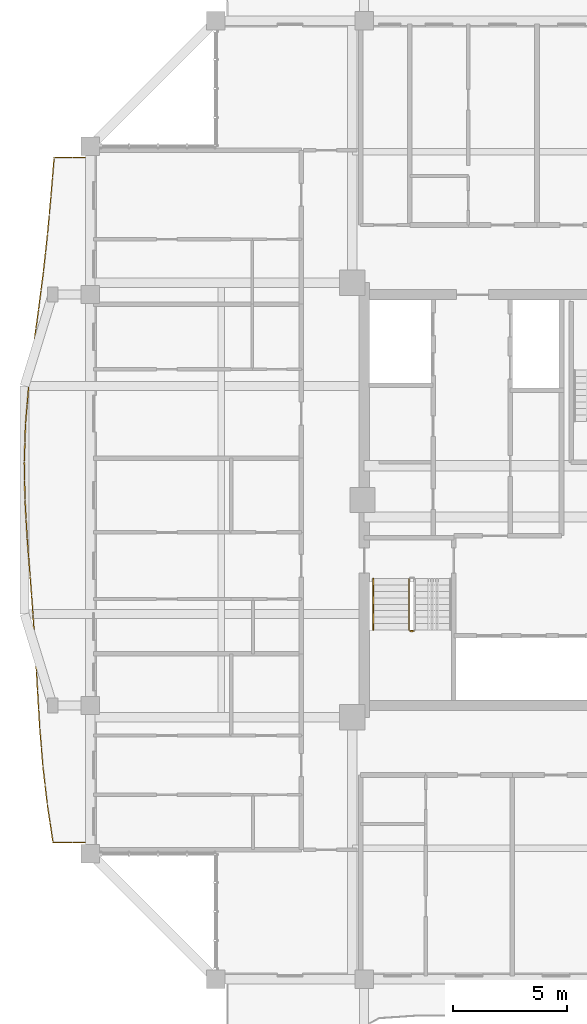
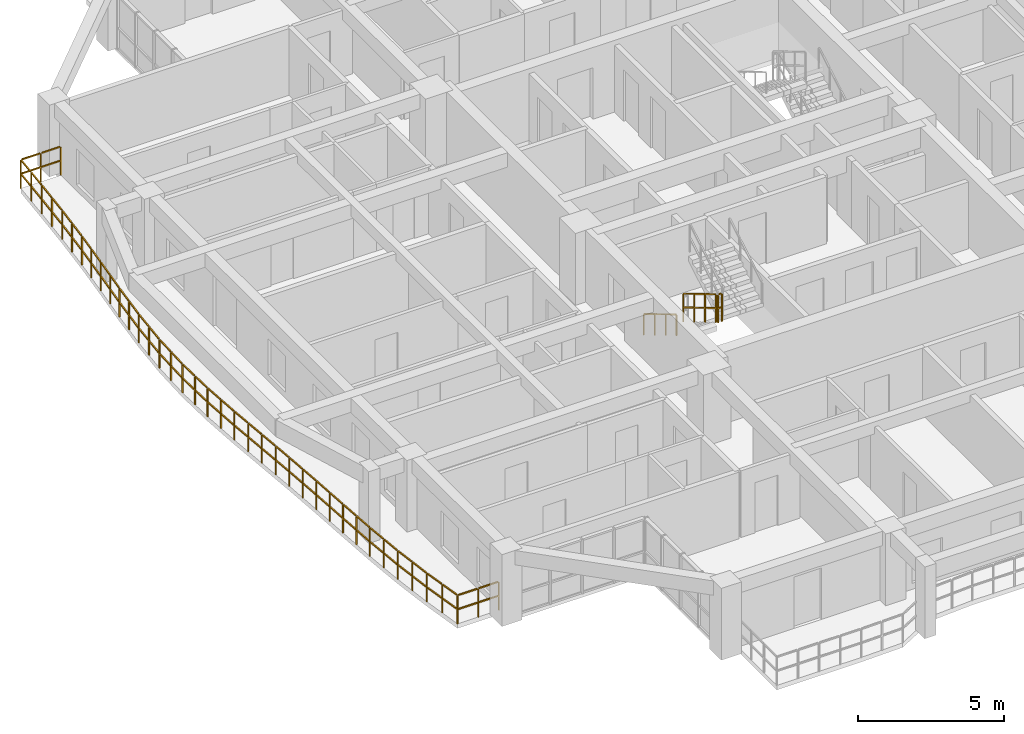
# One storey, part 19 of 22: 4 railings.
"""IFC4 building model written with IfcOpenShell, lengths in metres."""

from ifc_helpers import new_model, si_unit, direction, frame, origin, origin_2d, place, context, subcontext, project, spatial, rectangle, extrude, material, type_object, element, save


model = new_model("IFC4")

# Units and contexts
model_context = context("Model", 3, precision=1e-05, world=origin(), true_north=direction((0.0, 1.0)))
body_context = subcontext(model_context, "Body", "Model", "MODEL_VIEW")
ifc_project = project(units=[si_unit("LENGTHUNIT", "METRE"), si_unit("AREAUNIT", "SQUARE_METRE"), si_unit("VOLUMEUNIT", "CUBIC_METRE"), si_unit("PLANEANGLEUNIT", "RADIAN"), si_unit("MASSUNIT", "GRAM", prefix="KILO")], contexts=[model_context])

# Site, building, storey
site_placement = place(None, origin())
site = spatial("IfcSite", under=ifc_project, at=site_placement, CompositionType="ELEMENT")
building_placement = place(site_placement, origin())
building = spatial("IfcBuilding", under=site, at=building_placement, Name="Saelheon Loggia Tower", CompositionType="ELEMENT")
storey_placement = place(building_placement, frame((0.0, 0.0, 196.60009765625)))
storey = spatial("IfcBuildingStorey", under=building, at=storey_placement, Name="L61", CompositionType="ELEMENT", Elevation=196.60009765625)

# Railings
ifc_material_1 = material(Name="Architectural Precast Concrete and Laminated Glass Guard", Category="concrete")
railing_type_1 = type_object("IfcRailingType", Name="Guard_Loggia_RL_LOG", PredefinedType="BALUSTRADE", material=ifc_material_1)
railing_1_placement = place(storey_placement, frame((19.5, 42.0, 0.0)))
element("IfcRailing", 1, at=railing_1_placement, inside=storey, type_object=railing_type_1, Name="L61 West Loggia Balustrade", PredefinedType="BALUSTRADE", context=body_context, shape_type="SweptSolid", body=[
    extrude(rectangle(XDim=0.048095703125, YDim=0.048095703125, at=origin_2d()), frame((-0.033203125, 0.0, 1.19580078125), z_axis=(-1.0, 0.0, 0.0), x_axis=(0.0, -1.0, 0.0)), (0.0, 0.0, 1.0), 0.726318359375),
    extrude(rectangle(XDim=0.048095703125, YDim=0.048095703125, at=origin_2d()), frame((-0.033203125, 0.0, 0.60986328125), z_axis=(-1.0, 0.0, 0.0), x_axis=(0.0, -1.0, 0.0)), (0.0, 0.0, 1.0), 0.726318359375),
    extrude(rectangle(XDim=0.048095703125, YDim=0.048095703125, at=origin_2d()), frame((-0.826171875, 0.0, 1.19580078125), z_axis=(-1.0, 0.0, 0.0), x_axis=(0.0, -1.0, 0.0)), (0.0, 0.0, 1.0), 0.726318359375),
    extrude(rectangle(XDim=0.048095703125, YDim=0.048095703125, at=origin_2d()), frame((-0.826171875, 0.0, 0.60986328125), z_axis=(-1.0, 0.0, 0.0), x_axis=(0.0, -1.0, 0.0)), (0.0, 0.0, 1.0), 0.726318359375),
    extrude(rectangle(XDim=0.048095703125, YDim=0.048095703125, at=origin_2d()), frame((-1.58837890625, -0.033203125, 1.19580078125), z_axis=(-0.082622644176, -0.996580904227, 0.0), x_axis=(0.996580904227, -0.082622644176, 0.0)), (0.0, 0.0, 1.0), 0.769775390625),
    extrude(rectangle(XDim=0.048095703125, YDim=0.048095703125, at=origin_2d()), frame((-1.58837890625, -0.033203125, 0.60986328125), z_axis=(-0.082622644176, -0.996580904227, 0.0), x_axis=(0.996580904227, -0.082622644176, 0.0)), (0.0, 0.0, 1.0), 0.769775390625),
    extrude(rectangle(XDim=0.048095703125, YDim=0.048095703125, at=origin_2d()), frame((-1.657470703125, -0.866455078125, 1.19580078125), z_axis=(-0.082622644176, -0.996580904227, 0.0), x_axis=(0.996580904227, -0.082622644176, 0.0)), (0.0, 0.0, 1.0), 0.769775390625),
    extrude(rectangle(XDim=0.048095703125, YDim=0.048095703125, at=origin_2d()), frame((-1.657470703125, -0.866455078125, 0.60986328125), z_axis=(-0.082622644176, -0.996580904227, 0.0), x_axis=(0.996580904227, -0.082622644176, 0.0)), (0.0, 0.0, 1.0), 0.769775390625),
    extrude(rectangle(XDim=0.048095703125, YDim=0.048095703125, at=origin_2d()), frame((-1.726806640625, -1.699951171875, 1.19580078125), z_axis=(-0.089733224399, -0.995965836984, 0.0), x_axis=(0.995965836984, -0.089733224399, 0.0)), (0.0, 0.0, 1.0), 0.770263671875),
    extrude(rectangle(XDim=0.048095703125, YDim=0.048095703125, at=origin_2d()), frame((-1.726806640625, -1.699951171875, 0.60986328125), z_axis=(-0.089733224399, -0.995965836984, 0.0), x_axis=(0.995965836984, -0.089733224399, 0.0)), (0.0, 0.0, 1.0), 0.770263671875),
    extrude(rectangle(XDim=0.048095703125, YDim=0.048095703125, at=origin_2d()), frame((-1.802001953125, -2.533203125, 1.19580078125), z_axis=(-0.089733224399, -0.995965836984, 0.0), x_axis=(0.995965836984, -0.089733224399, 0.0)), (0.0, 0.0, 1.0), 0.770263671875),
    extrude(rectangle(XDim=0.048095703125, YDim=0.048095703125, at=origin_2d()), frame((-1.802001953125, -2.533203125, 0.60986328125), z_axis=(-0.089733224399, -0.995965836984, 0.0), x_axis=(0.995965836984, -0.089733224399, 0.0)), (0.0, 0.0, 1.0), 0.770263671875),
    extrude(rectangle(XDim=0.048095703125, YDim=0.048095703125, at=origin_2d()), frame((-1.877685546875, -3.3662109375, 1.19580078125), z_axis=(-0.108625418664, -0.9940827523, 0.0), x_axis=(0.9940827523, -0.108625418664, 0.0)), (0.0, 0.0, 1.0), 0.77197265625),
    extrude(rectangle(XDim=0.048095703125, YDim=0.048095703125, at=origin_2d()), frame((-1.877685546875, -3.3662109375, 0.60986328125), z_axis=(-0.108625418664, -0.9940827523, 0.0), x_axis=(0.9940827523, -0.108625418664, 0.0)), (0.0, 0.0, 1.0), 0.77197265625),
    extrude(rectangle(XDim=0.048095703125, YDim=0.048095703125, at=origin_2d()), frame((-1.96875, -4.19970703125, 1.19580078125), z_axis=(-0.108625418664, -0.9940827523, 0.0), x_axis=(0.9940827523, -0.108625418664, 0.0)), (0.0, 0.0, 1.0), 0.77197265625),
    extrude(rectangle(XDim=0.048095703125, YDim=0.048095703125, at=origin_2d()), frame((-1.96875, -4.19970703125, 0.60986328125), z_axis=(-0.108625418664, -0.9940827523, 0.0), x_axis=(0.9940827523, -0.108625418664, 0.0)), (0.0, 0.0, 1.0), 0.77197265625),
    extrude(rectangle(XDim=0.048095703125, YDim=0.048095703125, at=origin_2d()), frame((-2.060302734375, -5.032958984375, 1.19580078125), z_axis=(-0.127842269028, -0.991794512109, 0.0), x_axis=(0.991794512109, -0.127842269028, 0.0)), (0.0, 0.0, 1.0), 0.773681640625),
    extrude(rectangle(XDim=0.048095703125, YDim=0.048095703125, at=origin_2d()), frame((-2.060302734375, -5.032958984375, 0.60986328125), z_axis=(-0.127842269028, -0.991794512109, 0.0), x_axis=(0.991794512109, -0.127842269028, 0.0)), (0.0, 0.0, 1.0), 0.773681640625),
    extrude(rectangle(XDim=0.048095703125, YDim=0.048095703125, at=origin_2d()), frame((-2.167724609375, -5.866455078125, 1.19580078125), z_axis=(-0.127842269028, -0.991794512109, 0.0), x_axis=(0.991794512109, -0.127842269028, 0.0)), (0.0, 0.0, 1.0), 0.773681640625),
    extrude(rectangle(XDim=0.048095703125, YDim=0.048095703125, at=origin_2d()), frame((-2.167724609375, -5.866455078125, 0.60986328125), z_axis=(-0.127842269028, -0.991794512109, 0.0), x_axis=(0.991794512109, -0.127842269028, 0.0)), (0.0, 0.0, 1.0), 0.773681640625),
    extrude(rectangle(XDim=0.048095703125, YDim=0.048095703125, at=origin_2d()), frame((-2.275390625, -6.69970703125, 1.19580078125), z_axis=(-0.134426490543, -0.990923568516, 0.0), x_axis=(0.990923568516, -0.134426490543, 0.0)), (0.0, 0.0, 1.0), 0.7744140625),
    extrude(rectangle(XDim=0.048095703125, YDim=0.048095703125, at=origin_2d()), frame((-2.275390625, -6.69970703125, 0.60986328125), z_axis=(-0.134426490543, -0.990923568516, 0.0), x_axis=(0.990923568516, -0.134426490543, 0.0)), (0.0, 0.0, 1.0), 0.7744140625),
    extrude(rectangle(XDim=0.048095703125, YDim=0.048095703125, at=origin_2d()), frame((-2.388427734375, -7.532958984375, 1.19580078125), z_axis=(-0.134426490543, -0.990923568516, 0.0), x_axis=(0.990923568516, -0.134426490543, 0.0)), (0.0, 0.0, 1.0), 0.7744140625),
    extrude(rectangle(XDim=0.048095703125, YDim=0.048095703125, at=origin_2d()), frame((-2.388427734375, -7.532958984375, 0.60986328125), z_axis=(-0.134426490543, -0.990923568516, 0.0), x_axis=(0.990923568516, -0.134426490543, 0.0)), (0.0, 0.0, 1.0), 0.7744140625),
    extrude(rectangle(XDim=0.048095703125, YDim=0.048095703125, at=origin_2d()), frame((-2.5009765625, -8.3662109375, 1.19580078125), z_axis=(-0.120114226524, -0.992760078058, 0.0), x_axis=(0.992760078058, -0.120114226524, 0.0)), (0.0, 0.0, 1.0), 0.77294921875),
    extrude(rectangle(XDim=0.048095703125, YDim=0.048095703125, at=origin_2d()), frame((-2.5009765625, -8.3662109375, 0.60986328125), z_axis=(-0.120114226524, -0.992760078058, 0.0), x_axis=(0.992760078058, -0.120114226524, 0.0)), (0.0, 0.0, 1.0), 0.77294921875),
    extrude(rectangle(XDim=0.048095703125, YDim=0.048095703125, at=origin_2d()), frame((-2.601806640625, -9.19970703125, 1.19580078125), z_axis=(-0.120114226524, -0.992760078058, 0.0), x_axis=(0.992760078058, -0.120114226524, 0.0)), (0.0, 0.0, 1.0), 0.77294921875),
    extrude(rectangle(XDim=0.048095703125, YDim=0.048095703125, at=origin_2d()), frame((-2.601806640625, -9.19970703125, 0.60986328125), z_axis=(-0.120114226524, -0.992760078058, 0.0), x_axis=(0.992760078058, -0.120114226524, 0.0)), (0.0, 0.0, 1.0), 0.77294921875),
    extrude(rectangle(XDim=0.048095703125, YDim=0.048095703125, at=origin_2d()), frame((-2.701416015625, -10.033203125, 1.19580078125), z_axis=(-0.083637374408, -0.996496256692, 0.0), x_axis=(0.996496256692, -0.083637374408, 0.0)), (0.0, 0.0, 1.0), 0.769775390625),
    extrude(rectangle(XDim=0.048095703125, YDim=0.048095703125, at=origin_2d()), frame((-2.701416015625, -10.033203125, 0.60986328125), z_axis=(-0.083637374408, -0.996496256692, 0.0), x_axis=(0.996496256692, -0.083637374408, 0.0)), (0.0, 0.0, 1.0), 0.769775390625),
    extrude(rectangle(XDim=0.048095703125, YDim=0.048095703125, at=origin_2d()), frame((-2.771484375, -10.866455078125, 1.19580078125), z_axis=(-0.083637374408, -0.996496256692, 0.0), x_axis=(0.996496256692, -0.083637374408, 0.0)), (0.0, 0.0, 1.0), 0.769775390625),
    extrude(rectangle(XDim=0.048095703125, YDim=0.048095703125, at=origin_2d()), frame((-2.771484375, -10.866455078125, 0.60986328125), z_axis=(-0.083637374408, -0.996496256692, 0.0), x_axis=(0.996496256692, -0.083637374408, 0.0)), (0.0, 0.0, 1.0), 0.769775390625),
    extrude(rectangle(XDim=0.048095703125, YDim=0.048095703125, at=origin_2d()), frame((-2.839599609375, -11.699951171875, 1.19580078125), z_axis=(-0.032944311089, -0.999457188861, 0.0), x_axis=(0.999457188861, -0.032944311089, 0.0)), (0.0, 0.0, 1.0), 0.767333984375),
    extrude(rectangle(XDim=0.048095703125, YDim=0.048095703125, at=origin_2d()), frame((-2.839599609375, -11.699951171875, 0.60986328125), z_axis=(-0.032944311089, -0.999457188861, 0.0), x_axis=(0.999457188861, -0.032944311089, 0.0)), (0.0, 0.0, 1.0), 0.767333984375),
    extrude(rectangle(XDim=0.048095703125, YDim=0.048095703125, at=origin_2d()), frame((-2.8671875, -12.533203125, 1.19580078125), z_axis=(-0.032944311089, -0.999457188861, 0.0), x_axis=(0.999457188861, -0.032944311089, 0.0)), (0.0, 0.0, 1.0), 0.767333984375),
    extrude(rectangle(XDim=0.048095703125, YDim=0.048095703125, at=origin_2d()), frame((-2.8671875, -12.533203125, 0.60986328125), z_axis=(-0.032944311089, -0.999457188861, 0.0), x_axis=(0.999457188861, -0.032944311089, 0.0)), (0.0, 0.0, 1.0), 0.767333984375),
    extrude(rectangle(XDim=0.048095703125, YDim=0.048095703125, at=origin_2d()), frame((-2.892822265625, -13.366455078125, 1.19580078125), z_axis=(0.018892189386, -0.999821526664, 0.0), x_axis=(0.999821526664, 0.018892189386, 0.0)), (0.0, 0.0, 1.0), 0.76708984375),
    extrude(rectangle(XDim=0.048095703125, YDim=0.048095703125, at=origin_2d()), frame((-2.892822265625, -13.366455078125, 0.60986328125), z_axis=(0.018892189386, -0.999821526664, 0.0), x_axis=(0.999821526664, 0.018892189386, 0.0)), (0.0, 0.0, 1.0), 0.76708984375),
    extrude(rectangle(XDim=0.048095703125, YDim=0.048095703125, at=origin_2d()), frame((-2.877197265625, -14.199951171875, 1.19580078125), z_axis=(0.018892189386, -0.999821526664, 0.0), x_axis=(0.999821526664, 0.018892189386, 0.0)), (0.0, 0.0, 1.0), 0.76708984375),
    extrude(rectangle(XDim=0.048095703125, YDim=0.048095703125, at=origin_2d()), frame((-2.877197265625, -14.199951171875, 0.60986328125), z_axis=(0.018892189386, -0.999821526664, 0.0), x_axis=(0.999821526664, 0.018892189386, 0.0)), (0.0, 0.0, 1.0), 0.76708984375),
    extrude(rectangle(XDim=0.048095703125, YDim=0.048095703125, at=origin_2d()), frame((-2.860107421875, -15.033203125, 1.19580078125), z_axis=(0.057761901726, -0.998330387552, 0.0), x_axis=(0.998330387552, 0.057761901726, 0.0)), (0.0, 0.0, 1.0), 0.768310546875),
    extrude(rectangle(XDim=0.048095703125, YDim=0.048095703125, at=origin_2d()), frame((-2.860107421875, -15.033203125, 0.60986328125), z_axis=(0.057761901726, -0.998330387552, 0.0), x_axis=(0.998330387552, 0.057761901726, 0.0)), (0.0, 0.0, 1.0), 0.768310546875),
    extrude(rectangle(XDim=0.048095703125, YDim=0.048095703125, at=origin_2d()), frame((-2.81201171875, -15.866455078125, 1.19580078125), z_axis=(0.057761901726, -0.998330387552, 0.0), x_axis=(0.998330387552, 0.057761901726, 0.0)), (0.0, 0.0, 1.0), 0.768310546875),
    extrude(rectangle(XDim=0.048095703125, YDim=0.048095703125, at=origin_2d()), frame((-2.81201171875, -15.866455078125, 0.60986328125), z_axis=(0.057761901726, -0.998330387552, 0.0), x_axis=(0.998330387552, 0.057761901726, 0.0)), (0.0, 0.0, 1.0), 0.768310546875),
    extrude(rectangle(XDim=0.048095703125, YDim=0.048095703125, at=origin_2d()), frame((-2.76318359375, -16.699951171875, 1.19580078125), z_axis=(0.075959226601, -0.997110924569, 0.0), x_axis=(0.997110924569, 0.075959226601, 0.0)), (0.0, 0.0, 1.0), 0.769287109375),
    extrude(rectangle(XDim=0.048095703125, YDim=0.048095703125, at=origin_2d()), frame((-2.76318359375, -16.699951171875, 0.60986328125), z_axis=(0.075959226601, -0.997110924569, 0.0), x_axis=(0.997110924569, 0.075959226601, 0.0)), (0.0, 0.0, 1.0), 0.769287109375),
    extrude(rectangle(XDim=0.048095703125, YDim=0.048095703125, at=origin_2d()), frame((-2.69970703125, -17.533203125, 1.19580078125), z_axis=(0.075959226601, -0.997110924569, 0.0), x_axis=(0.997110924569, 0.075959226601, 0.0)), (0.0, 0.0, 1.0), 0.769287109375),
    extrude(rectangle(XDim=0.048095703125, YDim=0.048095703125, at=origin_2d()), frame((-2.69970703125, -17.533203125, 0.60986328125), z_axis=(0.075959226601, -0.997110924569, 0.0), x_axis=(0.997110924569, 0.075959226601, 0.0)), (0.0, 0.0, 1.0), 0.769287109375),
    extrude(rectangle(XDim=0.048095703125, YDim=0.048095703125, at=origin_2d()), frame((-2.63623046875, -18.366455078125, 1.19580078125), z_axis=(0.075076807606, -0.997177753943, 0.0), x_axis=(0.997177753943, 0.075076807606, 0.0)), (0.0, 0.0, 1.0), 0.769287109375),
    extrude(rectangle(XDim=0.048095703125, YDim=0.048095703125, at=origin_2d()), frame((-2.63623046875, -18.366455078125, 0.60986328125), z_axis=(0.075076807606, -0.997177753943, 0.0), x_axis=(0.997177753943, 0.075076807606, 0.0)), (0.0, 0.0, 1.0), 0.769287109375),
    extrude(rectangle(XDim=0.048095703125, YDim=0.048095703125, at=origin_2d()), frame((-2.573486328125, -19.19970703125, 1.19580078125), z_axis=(0.075076807606, -0.997177753943, 0.0), x_axis=(0.997177753943, 0.075076807606, 0.0)), (0.0, 0.0, 1.0), 0.769287109375),
    extrude(rectangle(XDim=0.048095703125, YDim=0.048095703125, at=origin_2d()), frame((-2.573486328125, -19.19970703125, 0.60986328125), z_axis=(0.075076807606, -0.997177753943, 0.0), x_axis=(0.997177753943, 0.075076807606, 0.0)), (0.0, 0.0, 1.0), 0.769287109375),
    extrude(rectangle(XDim=0.048095703125, YDim=0.048095703125, at=origin_2d()), frame((-2.510986328125, -20.033203125, 1.19580078125), z_axis=(0.063879811167, -0.997957599162, 0.0), x_axis=(0.997957599162, 0.063879811167, 0.0)), (0.0, 0.0, 1.0), 0.7685546875),
    extrude(rectangle(XDim=0.048095703125, YDim=0.048095703125, at=origin_2d()), frame((-2.510986328125, -20.033203125, 0.60986328125), z_axis=(0.063879811167, -0.997957599162, 0.0), x_axis=(0.997957599162, 0.063879811167, 0.0)), (0.0, 0.0, 1.0), 0.7685546875),
    extrude(rectangle(XDim=0.048095703125, YDim=0.048095703125, at=origin_2d()), frame((-2.457763671875, -20.866455078125, 1.19580078125), z_axis=(0.063879811167, -0.997957599162, 0.0), x_axis=(0.997957599162, 0.063879811167, 0.0)), (0.0, 0.0, 1.0), 0.7685546875),
    extrude(rectangle(XDim=0.048095703125, YDim=0.048095703125, at=origin_2d()), frame((-2.457763671875, -20.866455078125, 0.60986328125), z_axis=(0.063879811167, -0.997957599162, 0.0), x_axis=(0.997957599162, 0.063879811167, 0.0)), (0.0, 0.0, 1.0), 0.7685546875),
    extrude(rectangle(XDim=0.048095703125, YDim=0.048095703125, at=origin_2d()), frame((-2.40478515625, -21.699951171875, 1.19580078125), z_axis=(0.055000126962, -0.998486347445, 0.0), x_axis=(0.998486347445, 0.055000126962, 0.0)), (0.0, 0.0, 1.0), 0.76806640625),
    extrude(rectangle(XDim=0.048095703125, YDim=0.048095703125, at=origin_2d()), frame((-2.40478515625, -21.699951171875, 0.60986328125), z_axis=(0.055000126962, -0.998486347445, 0.0), x_axis=(0.998486347445, 0.055000126962, 0.0)), (0.0, 0.0, 1.0), 0.76806640625),
    extrude(rectangle(XDim=0.048095703125, YDim=0.048095703125, at=origin_2d()), frame((-2.35888671875, -22.533203125, 1.19580078125), z_axis=(0.055000126962, -0.998486347445, 0.0), x_axis=(0.998486347445, 0.055000126962, 0.0)), (0.0, 0.0, 1.0), 0.76806640625),
    extrude(rectangle(XDim=0.048095703125, YDim=0.048095703125, at=origin_2d()), frame((-2.35888671875, -22.533203125, 0.60986328125), z_axis=(0.055000126962, -0.998486347445, 0.0), x_axis=(0.998486347445, 0.055000126962, 0.0)), (0.0, 0.0, 1.0), 0.76806640625),
    extrude(rectangle(XDim=0.048095703125, YDim=0.048095703125, at=origin_2d()), frame((-2.312744140625, -23.366455078125, 1.19580078125), z_axis=(0.059510570368, -0.99822767544, 0.0), x_axis=(0.99822767544, 0.059510570368, 0.0)), (0.0, 0.0, 1.0), 0.768310546875),
    extrude(rectangle(XDim=0.048095703125, YDim=0.048095703125, at=origin_2d()), frame((-2.312744140625, -23.366455078125, 0.60986328125), z_axis=(0.059510570368, -0.99822767544, 0.0), x_axis=(0.99822767544, 0.059510570368, 0.0)), (0.0, 0.0, 1.0), 0.768310546875),
    extrude(rectangle(XDim=0.048095703125, YDim=0.048095703125, at=origin_2d()), frame((-2.262939453125, -24.19970703125, 1.19580078125), z_axis=(0.059510570368, -0.99822767544, 0.0), x_axis=(0.99822767544, 0.059510570368, 0.0)), (0.0, 0.0, 1.0), 0.768310546875),
    extrude(rectangle(XDim=0.048095703125, YDim=0.048095703125, at=origin_2d()), frame((-2.262939453125, -24.19970703125, 0.60986328125), z_axis=(0.059510570368, -0.99822767544, 0.0), x_axis=(0.99822767544, 0.059510570368, 0.0)), (0.0, 0.0, 1.0), 0.768310546875),
    extrude(rectangle(XDim=0.048095703125, YDim=0.048095703125, at=origin_2d()), frame((-2.212646484375, -25.033203125, 1.19580078125), z_axis=(0.081317613755, -0.996688238966, 0.0), x_axis=(0.996688238966, 0.081317613755, 0.0)), (0.0, 0.0, 1.0), 0.769775390625),
    extrude(rectangle(XDim=0.048095703125, YDim=0.048095703125, at=origin_2d()), frame((-2.212646484375, -25.033203125, 0.60986328125), z_axis=(0.081317613755, -0.996688238966, 0.0), x_axis=(0.996688238966, 0.081317613755, 0.0)), (0.0, 0.0, 1.0), 0.769775390625),
    extrude(rectangle(XDim=0.048095703125, YDim=0.048095703125, at=origin_2d()), frame((-2.14453125, -25.866455078125, 1.19580078125), z_axis=(0.081317613755, -0.996688238966, 0.0), x_axis=(0.996688238966, 0.081317613755, 0.0)), (0.0, 0.0, 1.0), 0.769775390625),
    extrude(rectangle(XDim=0.048095703125, YDim=0.048095703125, at=origin_2d()), frame((-2.14453125, -25.866455078125, 0.60986328125), z_axis=(0.081317613755, -0.996688238966, 0.0), x_axis=(0.996688238966, 0.081317613755, 0.0)), (0.0, 0.0, 1.0), 0.769775390625),
    extrude(rectangle(XDim=0.048095703125, YDim=0.048095703125, at=origin_2d()), frame((-2.075439453125, -26.69970703125, 1.19580078125), z_axis=(0.115110168559, -0.993352731458, 0.0), x_axis=(0.993352731458, 0.115110168559, 0.0)), (0.0, 0.0, 1.0), 0.7724609375),
    extrude(rectangle(XDim=0.048095703125, YDim=0.048095703125, at=origin_2d()), frame((-2.075439453125, -26.69970703125, 0.60986328125), z_axis=(0.115110168559, -0.993352731458, 0.0), x_axis=(0.993352731458, 0.115110168559, 0.0)), (0.0, 0.0, 1.0), 0.7724609375),
    extrude(rectangle(XDim=0.048095703125, YDim=0.048095703125, at=origin_2d()), frame((-1.97900390625, -27.532958984375, 1.19580078125), z_axis=(0.115110168559, -0.993352731458, 0.0), x_axis=(0.993352731458, 0.115110168559, 0.0)), (0.0, 0.0, 1.0), 0.7724609375),
    extrude(rectangle(XDim=0.048095703125, YDim=0.048095703125, at=origin_2d()), frame((-1.97900390625, -27.532958984375, 0.60986328125), z_axis=(0.115110168559, -0.993352731458, 0.0), x_axis=(0.993352731458, 0.115110168559, 0.0)), (0.0, 0.0, 1.0), 0.7724609375),
    extrude(rectangle(XDim=0.048095703125, YDim=0.048095703125, at=origin_2d()), frame((-1.88134765625, -28.3662109375, 1.19580078125), z_axis=(0.149041602908, -0.988830926196, 0.0), x_axis=(0.988830926196, 0.149041602908, 0.0)), (0.0, 0.0, 1.0), 0.7763671875),
    extrude(rectangle(XDim=0.048095703125, YDim=0.048095703125, at=origin_2d()), frame((-1.88134765625, -28.3662109375, 0.60986328125), z_axis=(0.149041602908, -0.988830926196, 0.0), x_axis=(0.988830926196, 0.149041602908, 0.0)), (0.0, 0.0, 1.0), 0.7763671875),
    extrude(rectangle(XDim=0.048095703125, YDim=0.048095703125, at=origin_2d()), frame((-1.755615234375, -29.199462890625, 1.19580078125), z_axis=(0.149041602908, -0.988830926196, 0.0), x_axis=(0.988830926196, 0.149041602908, 0.0)), (0.0, 0.0, 1.0), 0.7763671875),
    extrude(rectangle(XDim=0.048095703125, YDim=0.048095703125, at=origin_2d()), frame((-1.755615234375, -29.199462890625, 0.60986328125), z_axis=(0.149041602908, -0.988830926196, 0.0), x_axis=(0.988830926196, 0.149041602908, 0.0)), (0.0, 0.0, 1.0), 0.7763671875),
    extrude(rectangle(XDim=0.048095703125, YDim=0.048095703125, at=origin_2d()), frame((-1.601806640625, -30.0, 1.19580078125), z_axis=(1.0, 0.0, 0.0), x_axis=(0.0, 1.0, 0.0)), (0.0, 0.0, 1.0), 0.7509765625),
    extrude(rectangle(XDim=0.048095703125, YDim=0.048095703125, at=origin_2d()), frame((-1.601806640625, -30.0, 0.60986328125), z_axis=(1.0, 0.0, 0.0), x_axis=(0.0, 1.0, 0.0)), (0.0, 0.0, 1.0), 0.7509765625),
    extrude(rectangle(XDim=0.048095703125, YDim=0.048095703125, at=origin_2d()), frame((-0.7841796875, -30.0, 1.19580078125), z_axis=(1.0, 0.0, 0.0), x_axis=(0.0, 1.0, 0.0)), (0.0, 0.0, 1.0), 0.7509765625),
    extrude(rectangle(XDim=0.048095703125, YDim=0.048095703125, at=origin_2d()), frame((-0.7841796875, -30.0, 0.60986328125), z_axis=(1.0, 0.0, 0.0), x_axis=(0.0, 1.0, 0.0)), (0.0, 0.0, 1.0), 0.7509765625),
    extrude(rectangle(XDim=0.0419921875, YDim=0.0419921875, at=origin_2d()), origin(), (0.0, 0.0, 1.0), 1.16796875),
    extrude(rectangle(XDim=0.0419921875, YDim=0.0419921875, at=origin_2d()), frame((-0.79296875, 0.0, 0.0)), (0.0, 0.0, 1.0), 1.16796875),
    extrude(rectangle(XDim=0.0419921875, YDim=0.0419921875, at=origin_2d()), frame((-1.585693359375, 0.0, 0.0)), (0.0, 0.0, 1.0), 1.16796875),
    extrude(rectangle(XDim=0.0419921875, YDim=0.0419921875, at=origin_2d()), frame((-1.65478515625, -0.83349609375, 0.0)), (0.0, 0.0, 1.0), 1.16796875),
    extrude(rectangle(XDim=0.0419921875, YDim=0.0419921875, at=origin_2d()), frame((-1.723876953125, -1.666748046875, 0.0)), (0.0, 0.0, 1.0), 1.16796875),
    extrude(rectangle(XDim=0.0419921875, YDim=0.0419921875, at=origin_2d()), frame((-1.798828125, -2.5, 0.0)), (0.0, 0.0, 1.0), 1.16796875),
    extrude(rectangle(XDim=0.0419921875, YDim=0.0419921875, at=origin_2d()), frame((-1.8740234375, -3.333251953125, 0.0)), (0.0, 0.0, 1.0), 1.16796875),
    extrude(rectangle(XDim=0.0419921875, YDim=0.0419921875, at=origin_2d()), frame((-1.965087890625, -4.16650390625, 0.0)), (0.0, 0.0, 1.0), 1.16796875),
    extrude(rectangle(XDim=0.0419921875, YDim=0.0419921875, at=origin_2d()), frame((-2.05615234375, -5.0, 0.0)), (0.0, 0.0, 1.0), 1.16796875),
    extrude(rectangle(XDim=0.0419921875, YDim=0.0419921875, at=origin_2d()), frame((-2.16357421875, -5.83349609375, 0.0)), (0.0, 0.0, 1.0), 1.16796875),
    extrude(rectangle(XDim=0.0419921875, YDim=0.0419921875, at=origin_2d()), frame((-2.27099609375, -6.666748046875, 0.0)), (0.0, 0.0, 1.0), 1.16796875),
    extrude(rectangle(XDim=0.0419921875, YDim=0.0419921875, at=origin_2d()), frame((-2.384033203125, -7.5, 0.0)), (0.0, 0.0, 1.0), 1.16796875),
    extrude(rectangle(XDim=0.0419921875, YDim=0.0419921875, at=origin_2d()), frame((-2.4970703125, -8.333251953125, 0.0)), (0.0, 0.0, 1.0), 1.16796875),
    extrude(rectangle(XDim=0.0419921875, YDim=0.0419921875, at=origin_2d()), frame((-2.597900390625, -9.16650390625, 0.0)), (0.0, 0.0, 1.0), 1.16796875),
    extrude(rectangle(XDim=0.0419921875, YDim=0.0419921875, at=origin_2d()), frame((-2.69873046875, -10.0, 0.0)), (0.0, 0.0, 1.0), 1.16796875),
    extrude(rectangle(XDim=0.0419921875, YDim=0.0419921875, at=origin_2d()), frame((-2.7685546875, -10.83349609375, 0.0)), (0.0, 0.0, 1.0), 1.16796875),
    extrude(rectangle(XDim=0.0419921875, YDim=0.0419921875, at=origin_2d()), frame((-2.838623046875, -11.666748046875, 0.0)), (0.0, 0.0, 1.0), 1.16796875),
    extrude(rectangle(XDim=0.0419921875, YDim=0.0419921875, at=origin_2d()), frame((-2.8662109375, -12.5, 0.0)), (0.0, 0.0, 1.0), 1.16796875),
    extrude(rectangle(XDim=0.0419921875, YDim=0.0419921875, at=origin_2d()), frame((-2.8935546875, -13.333251953125, 0.0)), (0.0, 0.0, 1.0), 1.16796875),
    extrude(rectangle(XDim=0.0419921875, YDim=0.0419921875, at=origin_2d()), frame((-2.8779296875, -14.16650390625, 0.0)), (0.0, 0.0, 1.0), 1.16796875),
    extrude(rectangle(XDim=0.0419921875, YDim=0.0419921875, at=origin_2d()), frame((-2.862060546875, -15.0, 0.0)), (0.0, 0.0, 1.0), 1.16796875),
    extrude(rectangle(XDim=0.0419921875, YDim=0.0419921875, at=origin_2d()), frame((-2.81396484375, -15.83349609375, 0.0)), (0.0, 0.0, 1.0), 1.16796875),
    extrude(rectangle(XDim=0.0419921875, YDim=0.0419921875, at=origin_2d()), frame((-2.765625, -16.666748046875, 0.0)), (0.0, 0.0, 1.0), 1.16796875),
    extrude(rectangle(XDim=0.0419921875, YDim=0.0419921875, at=origin_2d()), frame((-2.7021484375, -17.5, 0.0)), (0.0, 0.0, 1.0), 1.16796875),
    extrude(rectangle(XDim=0.0419921875, YDim=0.0419921875, at=origin_2d()), frame((-2.638671875, -18.333251953125, 0.0)), (0.0, 0.0, 1.0), 1.16796875),
    extrude(rectangle(XDim=0.0419921875, YDim=0.0419921875, at=origin_2d()), frame((-2.575927734375, -19.16650390625, 0.0)), (0.0, 0.0, 1.0), 1.16796875),
    extrude(rectangle(XDim=0.0419921875, YDim=0.0419921875, at=origin_2d()), frame((-2.51318359375, -20.0, 0.0)), (0.0, 0.0, 1.0), 1.16796875),
    extrude(rectangle(XDim=0.0419921875, YDim=0.0419921875, at=origin_2d()), frame((-2.4599609375, -20.83349609375, 0.0)), (0.0, 0.0, 1.0), 1.16796875),
    extrude(rectangle(XDim=0.0419921875, YDim=0.0419921875, at=origin_2d()), frame((-2.406494140625, -21.666748046875, 0.0)), (0.0, 0.0, 1.0), 1.16796875),
    extrude(rectangle(XDim=0.0419921875, YDim=0.0419921875, at=origin_2d()), frame((-2.360595703125, -22.5, 0.0)), (0.0, 0.0, 1.0), 1.16796875),
    extrude(rectangle(XDim=0.0419921875, YDim=0.0419921875, at=origin_2d()), frame((-2.314697265625, -23.333251953125, 0.0)), (0.0, 0.0, 1.0), 1.16796875),
    extrude(rectangle(XDim=0.0419921875, YDim=0.0419921875, at=origin_2d()), frame((-2.26513671875, -24.16650390625, 0.0)), (0.0, 0.0, 1.0), 1.16796875),
    extrude(rectangle(XDim=0.0419921875, YDim=0.0419921875, at=origin_2d()), frame((-2.21533203125, -25.0, 0.0)), (0.0, 0.0, 1.0), 1.16796875),
    extrude(rectangle(XDim=0.0419921875, YDim=0.0419921875, at=origin_2d()), frame((-2.1474609375, -25.83349609375, 0.0)), (0.0, 0.0, 1.0), 1.16796875),
    extrude(rectangle(XDim=0.0419921875, YDim=0.0419921875, at=origin_2d()), frame((-2.079345703125, -26.666748046875, 0.0)), (0.0, 0.0, 1.0), 1.16796875),
    extrude(rectangle(XDim=0.0419921875, YDim=0.0419921875, at=origin_2d()), frame((-1.98291015625, -27.5, 0.0)), (0.0, 0.0, 1.0), 1.16796875),
    extrude(rectangle(XDim=0.0419921875, YDim=0.0419921875, at=origin_2d()), frame((-1.88623046875, -28.333251953125, 0.0)), (0.0, 0.0, 1.0), 1.16796875),
    extrude(rectangle(XDim=0.0419921875, YDim=0.0419921875, at=origin_2d()), frame((-1.7607421875, -29.16650390625, 0.0)), (0.0, 0.0, 1.0), 1.16796875),
    extrude(rectangle(XDim=0.0419921875, YDim=0.0419921875, at=origin_2d()), frame((-1.635009765625, -30.0, 0.0)), (0.0, 0.0, 1.0), 1.16796875),
    extrude(rectangle(XDim=0.0419921875, YDim=0.0419921875, at=origin_2d()), frame((-0.8173828125, -30.0, 0.0)), (0.0, 0.0, 1.0), 1.16796875),
    extrude(rectangle(XDim=0.0419921875, YDim=0.0419921875, at=origin_2d()), frame((0.0, -30.0, 0.0)), (0.0, 0.0, 1.0), 1.16796875),
])
ifc_material_2 = material(Name="Galvanised Steel S275 Stairwell Guardrail", Category="steel")
railing_type_2 = type_object("IfcRailingType", Name="Guard_StairWell_RL_STG", PredefinedType="GUARDRAIL", material=ifc_material_2)
railing_2_placement = place(storey_placement, frame((33.4599609375, 23.550048828125, 0.16650390625)))
element("IfcRailing", 2, at=railing_2_placement, inside=storey, type_object=railing_type_2, Name="L61 ST1 stair guard 1", PredefinedType="GUARDRAIL", context=body_context, shape_type="SweptSolid", body=[
    extrude(rectangle(XDim=0.048095703125, YDim=0.048095703125, at=origin_2d()), frame((0.0, -0.028564453125, 1.19287109375), z_axis=(0.0, -0.859264461869, 0.511531606619), x_axis=(1.0, 0.0, 0.0)), (0.0, 0.0, 1.0), 0.802490234375),
    extrude(rectangle(XDim=0.048095703125, YDim=0.048095703125, at=origin_2d()), frame((0.0, -0.028564453125, 0.616943359375), z_axis=(0.0, -0.859264461869, 0.511531606619), x_axis=(1.0, 0.0, 0.0)), (0.0, 0.0, 1.0), 0.802490234375),
    extrude(rectangle(XDim=0.048095703125, YDim=0.048095703125, at=origin_2d()), frame((0.0, -0.775146484375, 1.637451171875), z_axis=(0.0, -0.859264461869, 0.511531606619), x_axis=(1.0, 0.0, 0.0)), (0.0, 0.0, 1.0), 0.802490234375),
    extrude(rectangle(XDim=0.048095703125, YDim=0.048095703125, at=origin_2d()), frame((0.0, -0.775146484375, 1.0615234375), z_axis=(0.0, -0.859264461869, 0.511531606619), x_axis=(1.0, 0.0, 0.0)), (0.0, 0.0, 1.0), 0.802490234375),
    extrude(rectangle(XDim=0.048095703125, YDim=0.048095703125, at=origin_2d()), frame((0.0, -1.52197265625, 2.081787109375), z_axis=(0.0, -0.859264461869, 0.511531606619), x_axis=(1.0, 0.0, 0.0)), (0.0, 0.0, 1.0), 0.802490234375),
    extrude(rectangle(XDim=0.048095703125, YDim=0.048095703125, at=origin_2d()), frame((0.0, -1.52197265625, 1.505859375), z_axis=(0.0, -0.859264461869, 0.511531606619), x_axis=(1.0, 0.0, 0.0)), (0.0, 0.0, 1.0), 0.802490234375),
    extrude(rectangle(XDim=0.0419921875, YDim=0.0419921875, at=origin_2d()), origin(), (0.0, 0.0, 1.0), 1.14794921875),
    extrude(rectangle(XDim=0.0419921875, YDim=0.0419921875, at=origin_2d()), frame((0.0, -0.74658203125, 0.444580078125)), (0.0, 0.0, 1.0), 1.14794921875),
    extrude(rectangle(XDim=0.0419921875, YDim=0.0419921875, at=origin_2d()), frame((0.0, -1.493408203125, 0.888916015625)), (0.0, 0.0, 1.0), 1.14794921875),
    extrude(rectangle(XDim=0.0419921875, YDim=0.0419921875, at=origin_2d()), frame((0.0, -2.239990234375, 1.33349609375)), (0.0, 0.0, 1.0), 1.14794921875),
])
railing_3_placement = place(storey_placement, frame((33.510009765625, 21.260009765625, 1.5)))
element("IfcRailing", 3, at=railing_3_placement, inside=storey, type_object=railing_type_2, Name="L61 ST1 stair guard 2", PredefinedType="GUARDRAIL", context=body_context, shape_type="SweptSolid", body=[
    extrude(rectangle(XDim=0.048095703125, YDim=0.048095703125, at=origin_2d()), frame((0.033203125, 0.0, 1.17578125), z_axis=(1.0, 0.0, 0.0), x_axis=(0.0, 1.0, 0.0)), (0.0, 0.0, 1.0), 0.093505859375),
    extrude(rectangle(XDim=0.048095703125, YDim=0.048095703125, at=origin_2d()), frame((0.033203125, 0.0, 0.60009765625), z_axis=(1.0, 0.0, 0.0), x_axis=(0.0, 1.0, 0.0)), (0.0, 0.0, 1.0), 0.093505859375),
    extrude(rectangle(XDim=0.0419921875, YDim=0.0419921875, at=origin_2d()), origin(), (0.0, 0.0, 1.0), 1.14794921875),
    extrude(rectangle(XDim=0.0419921875, YDim=0.0419921875, at=origin_2d()), frame((0.159912109375, 0.0, 0.0)), (0.0, 0.0, 1.0), 1.14794921875),
])
ifc_material_3 = material(Name="Stainless Steel 304 Tubular Handrail", Category="steel")
railing_type_3 = type_object("IfcRailingType", Name="Handrail_Stair_RL_HR1", PredefinedType="HANDRAIL", material=ifc_material_3)
railing_4_placement = place(storey_placement, frame((31.89990234375, 23.550048828125, 0.16650390625)))
element("IfcRailing", 4, at=railing_4_placement, inside=storey, type_object=railing_type_3, Name="L61 ST1 stair handrail 1", PredefinedType="HANDRAIL", context=body_context, shape_type="SweptSolid", body=[
    extrude(rectangle(XDim=0.048095703125, YDim=0.048095703125, at=origin_2d()), frame((0.0, -0.028564453125, 0.892822265625), z_axis=(0.0, -0.859264461869, 0.511531606619), x_axis=(1.0, 0.0, 0.0)), (0.0, 0.0, 1.0), 0.802490234375),
    extrude(rectangle(XDim=0.048095703125, YDim=0.048095703125, at=origin_2d()), frame((0.0, -0.775146484375, 1.33740234375), z_axis=(0.0, -0.859264461869, 0.511531606619), x_axis=(1.0, 0.0, 0.0)), (0.0, 0.0, 1.0), 0.802490234375),
    extrude(rectangle(XDim=0.048095703125, YDim=0.048095703125, at=origin_2d()), frame((0.0, -1.52197265625, 1.78173828125), z_axis=(0.0, -0.859264461869, 0.511531606619), x_axis=(1.0, 0.0, 0.0)), (0.0, 0.0, 1.0), 0.802490234375),
    extrude(rectangle(XDim=0.0419921875, YDim=0.0419921875, at=origin_2d()), origin(), (0.0, 0.0, 1.0), 0.847900390625),
    extrude(rectangle(XDim=0.0419921875, YDim=0.0419921875, at=origin_2d()), frame((0.0, -0.74658203125, 0.444580078125)), (0.0, 0.0, 1.0), 0.847900390625),
    extrude(rectangle(XDim=0.0419921875, YDim=0.0419921875, at=origin_2d()), frame((0.0, -1.493408203125, 0.888916015625)), (0.0, 0.0, 1.0), 0.847900390625),
    extrude(rectangle(XDim=0.0419921875, YDim=0.0419921875, at=origin_2d()), frame((0.0, -2.239990234375, 1.33349609375)), (0.0, 0.0, 1.0), 0.847900390625),
])

save(model, "model.ifc")
